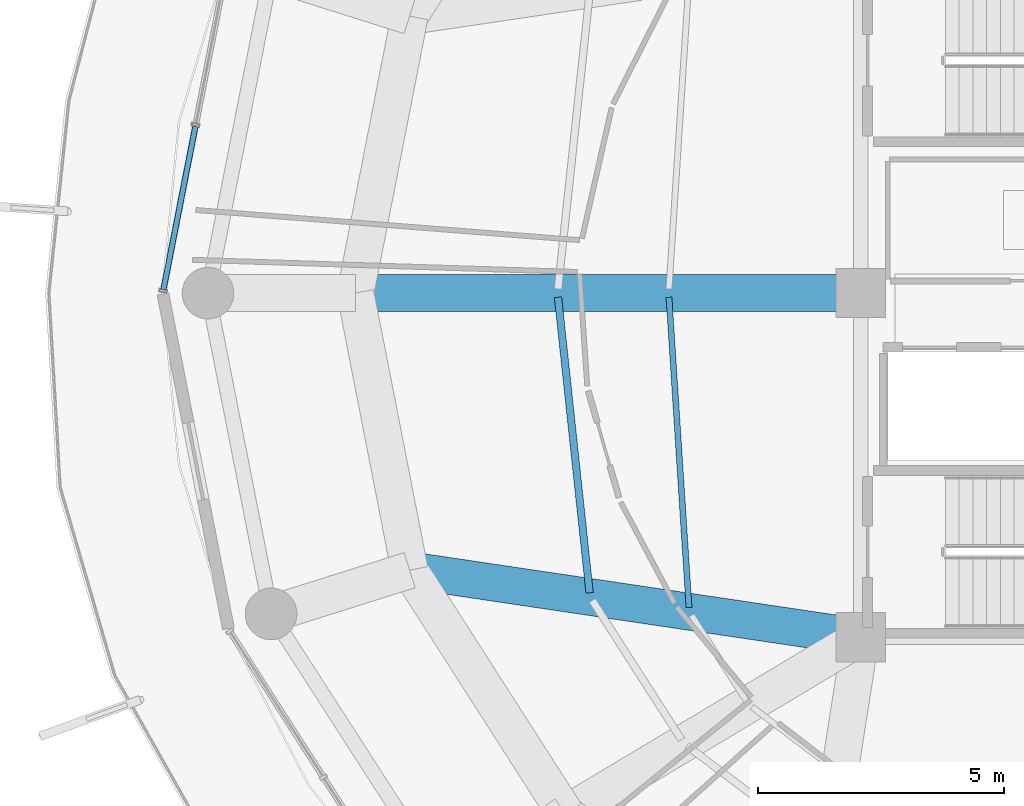
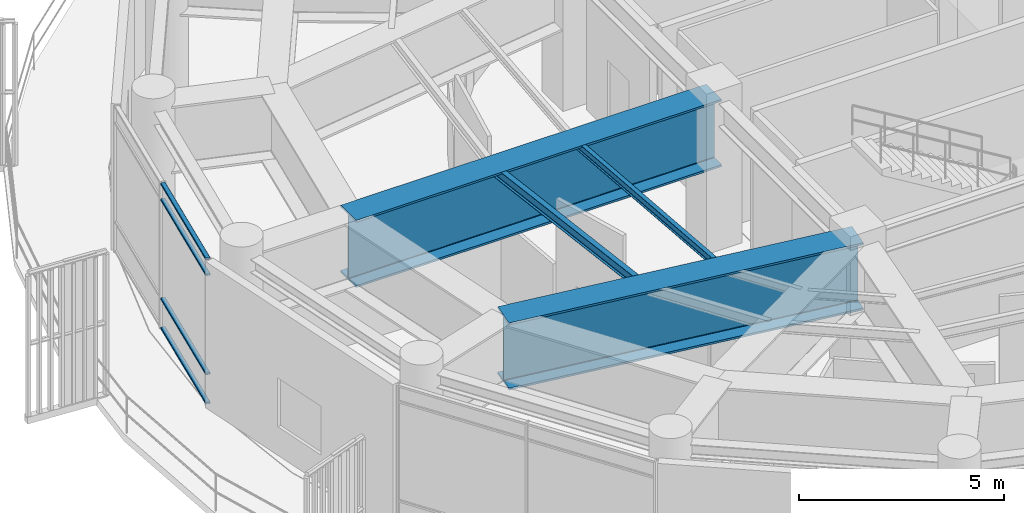
# One storey, part 7 of 29: 4 beams, 4 members, 1 element without a shape of its own.
"""IFC4 building model written with IfcOpenShell, lengths in metres."""

import ifcopenshell
import ifcopenshell.guid

model = None  # the IFC model being written
_history = None  # IfcOwnerHistory: only IFC2X3 demands one
_inside = {}  # id of a spatial element -> (the spatial element, [elements in it])
_under = {}  # id of a project, library or spatial element -> (it, [spatial elements below it])
_declared = {}  # id of a project -> (the project, [libraries it declares])
_typed = {}  # id of a type object -> (the type object, [elements of that type])
_made_of = {}  # id of a material, layer set ... -> (it, [elements and type objects made of it])


def new_model(schema):
    """Start an empty IFC model of exactly this schema.

    Asked for "IFC4X3", IfcOpenShell would pick the latest addendum, in which some entities
    have other attributes; the version numbers below select the first issue.
    IFC2X3 requires an IfcOwnerHistory on every rooted entity: one is made here for all.
    """
    global model, _history
    if schema == "IFC4X3":
        model = ifcopenshell.file(schema_version=(4, 3, 0, 0))
    else:
        model = ifcopenshell.file(schema=schema)
    _inside.clear()
    _under.clear()
    _declared.clear()
    _typed.clear()
    _made_of.clear()
    _history = None
    if model.schema == "IFC2X3":
        org = make("IfcOrganization", Name="unknown")
        user = make(
            "IfcPersonAndOrganization",
            ThePerson=make("IfcPerson", FamilyName="unknown"),
            TheOrganization=org,
        )
        app = make(
            "IfcApplication",
            ApplicationDeveloper=org,
            Version="unknown",
            ApplicationFullName="unknown",
            ApplicationIdentifier="unknown",
        )
        _history = make(
            "IfcOwnerHistory",
            OwningUser=user,
            OwningApplication=app,
            ChangeAction="ADDED",
            CreationDate=0,
        )
    return model


def make(cls, **values):
    """One entity of the class cls with the attributes given. An attribute that is None is left unset."""
    return model.create_entity(
        cls, **{name: value for name, value in values.items() if value is not None}
    )


def rooted(cls, **values):
    """An entity with a GlobalId (a new one), such as an element, a storey or a relation."""
    return make(cls, GlobalId=ifcopenshell.guid.new(), OwnerHistory=_history, **values)


def si_unit(unit_type, name, prefix=None):
    """IfcSIUnit, for example si_unit("LENGTHUNIT", "METRE", prefix="MILLI")."""
    return make("IfcSIUnit", UnitType=unit_type, Prefix=prefix, Name=name)


def assignment(units):
    """IfcUnitAssignment: the units of a project."""
    return None if units is None else make("IfcUnitAssignment", Units=units)


def point(xyz):
    """IfcCartesianPoint."""
    return None if xyz is None else make("IfcCartesianPoint", Coordinates=xyz)


def direction(xyz):
    """IfcDirection."""
    return None if xyz is None else make("IfcDirection", DirectionRatios=xyz)


def frame(location, z_axis=None, x_axis=None):
    """IfcAxis2Placement3D, a coordinate frame: its origin and axes. An axis left out is left unset."""
    return make(
        "IfcAxis2Placement3D",
        Location=point(location),
        Axis=direction(z_axis),
        RefDirection=direction(x_axis),
    )


def frame_2d(location, x_axis=None):
    """IfcAxis2Placement2D, a coordinate frame in the plane: its origin and x axis."""
    return make(
        "IfcAxis2Placement2D", Location=point(location), RefDirection=direction(x_axis)
    )


def origin():
    """The frame at (0, 0, 0) with its axes left unset."""
    return frame((0.0, 0.0, 0.0))


def origin_2d():
    """The frame at (0, 0) in the plane with its x axis left unset."""
    return frame_2d((0.0, 0.0))


def place(relative_to, where):
    """IfcLocalPlacement: puts the frame where relative to a parent placement (None: the world)."""
    return make(
        "IfcLocalPlacement", PlacementRelTo=relative_to, RelativePlacement=where
    )


def context(
    kind, dimensions, precision=None, world=None, true_north=None, identifier=None
):
    """IfcGeometricRepresentationContext, for example the 3D "Model" context."""
    return make(
        "IfcGeometricRepresentationContext",
        ContextIdentifier=identifier,
        ContextType=kind,
        CoordinateSpaceDimension=dimensions,
        Precision=precision,
        WorldCoordinateSystem=world,
        TrueNorth=true_north,
    )


def subcontext(parent, identifier, kind, view, scale=None):
    """IfcGeometricRepresentationSubContext, for example "Body" below "Model"."""
    return make(
        "IfcGeometricRepresentationSubContext",
        ContextIdentifier=identifier,
        ContextType=kind,
        ParentContext=parent,
        TargetScale=scale,
        TargetView=view,
    )


def project(units=None, contexts=None):
    """IfcProject with its units and contexts."""
    return rooted(
        "IfcProject",
        Name="project",
        RepresentationContexts=contexts,
        UnitsInContext=assignment(units),
    )


def spatial(cls, under=None, at=None, **own):
    """A site, building, storey or space (cls), placed at a placement, below another one or the project."""
    s = rooted(cls, ObjectPlacement=at, **own)
    if under is not None:
        _under.setdefault(under.id(), (under, []))[1].append(s)
    return s


def profile(cls, at=None, kind="AREA", **sizes):
    """A parametric profile (cls). Its sizes go by their IFC names, for example OverallWidth=200.0."""
    return make(cls, ProfileType=kind, Position=at, **sizes)


def hollow_rectangle(**sizes):
    """IfcRectangleHollowProfileDef."""
    return profile("IfcRectangleHollowProfileDef", **sizes)


def i_section(**sizes):
    """IfcIShapeProfileDef."""
    return profile("IfcIShapeProfileDef", **sizes)


def extrude(swept, where, along, depth):
    """IfcExtrudedAreaSolid: the profile swept, set in the frame where, extruded along a direction by depth."""
    return make(
        "IfcExtrudedAreaSolid",
        SweptArea=swept,
        Position=where,
        ExtrudedDirection=direction(along),
        Depth=depth,
    )


def shape(context_of_items, identifier, shape_type, items):
    """IfcShapeRepresentation: the items that make up one representation, for example the "Body"."""
    return make(
        "IfcShapeRepresentation",
        ContextOfItems=context_of_items,
        RepresentationIdentifier=identifier,
        RepresentationType=shape_type,
        Items=items,
    )


def material(Name=None, Category=None):
    """IfcMaterial."""
    return make("IfcMaterial", Name=Name, Category=Category)


def layer(
    of_material, thickness, ventilated=None, Name=None, Category=None, Priority=None
):
    """IfcMaterialLayer: one layer of a wall or slab, of a material (None: an air gap)."""
    return make(
        "IfcMaterialLayer",
        Material=of_material,
        LayerThickness=thickness,
        IsVentilated=ventilated,
        Name=Name,
        Category=Category,
        Priority=Priority,
    )


def layer_set(layers, Name=None):
    """IfcMaterialLayerSet."""
    return make("IfcMaterialLayerSet", MaterialLayers=layers, LayerSetName=Name)


def material_profile(
    of_material, cross_section, Name=None, Category=None, Priority=None
):
    """IfcMaterialProfile: a cross section and its material."""
    return make(
        "IfcMaterialProfile",
        Name=Name,
        Material=of_material,
        Profile=cross_section,
        Priority=Priority,
        Category=Category,
    )


def profile_set(profiles, Name=None, composite=None):
    """IfcMaterialProfileSet."""
    return make(
        "IfcMaterialProfileSet",
        Name=Name,
        MaterialProfiles=profiles,
        CompositeProfile=composite,
    )


def made_of(thing, what):
    """Note that an element or type object is made of a material, layer set ...; save() writes the relation."""
    if what is not None:
        _made_of.setdefault(what.id(), (what, []))[1].append(thing)
    return thing


def type_object(cls, material=None, **own):
    """A type object (cls), such as IfcWallType, which elements share."""
    return made_of(rooted(cls, **own), material)


def element(
    cls,
    number,
    at=None,
    inside=None,
    cuts=None,
    type_object=None,
    material=None,
    context=None,
    identifier="Body",
    shape_type=None,
    held_by="IfcProductDefinitionShape",
    body=None,
    shapes=None,
    **own,
):
    """One element of the class cls, such as IfcWall. Its Tag is "e" and its number.

    at: its placement. inside: the storey or other place that contains it. cuts: it is an
    opening in that element (IfcRelVoidsElement). A single representation is given by context,
    identifier, shape_type and body (its items); several are given by shapes. held_by: the class
    of the entity that holds the representations. save() writes the other relations.
    """
    e = rooted(cls, Tag="e%d" % number, ObjectPlacement=at, **own)
    if body is not None:
        shapes = [shape(context, identifier, shape_type, body)]
    if shapes is not None:
        e.Representation = make(held_by, Representations=shapes)
    if inside is not None:
        _inside.setdefault(inside.id(), (inside, []))[1].append(e)
    if cuts is not None:
        rooted(
            "IfcRelVoidsElement", RelatingBuildingElement=cuts, RelatedOpeningElement=e
        )
    if type_object is not None:
        _typed.setdefault(type_object.id(), (type_object, []))[1].append(e)
    return made_of(e, material)


def aggregate(whole, parts):
    """IfcRelAggregates: a whole, such as a stair, and the parts it consists of."""
    return rooted("IfcRelAggregates", RelatingObject=whole, RelatedObjects=parts)


def save(model, path):
    """Write the relations noted so far, then the file.

    IfcRelAggregates (storeys below a building ...), IfcRelContainedInSpatialStructure (elements
    in a storey), IfcRelDefinesByType, IfcRelAssociatesMaterial and IfcRelDeclares: one each for
    every whole, place, type object, material and project.
    """
    for whole, parts in _under.values():
        aggregate(whole, parts)
    for where, things in _inside.values():
        rooted(
            "IfcRelContainedInSpatialStructure",
            RelatedElements=things,
            RelatingStructure=where,
        )
    for kind, things in _typed.values():
        rooted("IfcRelDefinesByType", RelatedObjects=things, RelatingType=kind)
    for what, things in _made_of.values():
        rooted("IfcRelAssociatesMaterial", RelatedObjects=things, RelatingMaterial=what)
    for by, libraries in _declared.values():
        rooted("IfcRelDeclares", RelatingContext=by, RelatedDefinitions=libraries)
    model.write(path)


model = new_model("IFC4")

# Units and contexts
model_context = context("Model", 3, precision=1e-05, world=origin(), true_north=direction((0.0, 1.0)))
body_context = subcontext(model_context, "Body", "Model", "MODEL_VIEW")
ifc_project = project(units=[si_unit("LENGTHUNIT", "METRE"), si_unit("AREAUNIT", "SQUARE_METRE"), si_unit("VOLUMEUNIT", "CUBIC_METRE"), si_unit("PLANEANGLEUNIT", "RADIAN"), si_unit("MASSUNIT", "GRAM", prefix="KILO")], contexts=[model_context])

# Site, building, storey
site_placement = place(None, origin())
site = spatial("IfcSite", under=ifc_project, at=site_placement, CompositionType="ELEMENT")
building_placement = place(site_placement, origin())
building = spatial("IfcBuilding", under=site, at=building_placement, Name="Kelanora Arch Commons", CompositionType="ELEMENT")
storey_placement = place(building_placement, frame((0.0, 0.0, 238.199951171875)))
storey = spatial("IfcBuildingStorey", under=building, at=storey_placement, Name="L61", CompositionType="ELEMENT", Elevation=238.199951171875)

# Beams
ifc_material_1 = material(Name="Steel S355", Category="steel")
ifc_material_profile_1 = material_profile(ifc_material_1, i_section(OverallWidth=0.14990234375, OverallDepth=0.300048828125, WebThickness=0.007080078125, FlangeThickness=0.0107421875, FilletRadius=0.014892578125, at=origin_2d()), Name="IPE300")
ifc_profile_set_1 = profile_set([ifc_material_profile_1], Name="Steel S355")
beam_type_1 = type_object("IfcBeamType", Name="BM-JST-01", PredefinedType="JOIST", material=ifc_profile_set_1)
beam_1_placement = place(storey_placement, frame((59.841064453125, 57.91552734375, 4.2099609375), z_axis=(0.106380594087, -0.994325484538, 0.0), x_axis=(0.994325484538, 0.106380594087, 0.0)))
element("IfcBeam", 1, at=beam_1_placement, inside=storey, type_object=beam_type_1, Name="Secondary Chord Joist BJB-18 L61", PredefinedType="JOIST", context=body_context, shape_type="SweptSolid", body=[
    extrude(i_section(OverallWidth=0.14990234375, OverallDepth=0.300048828125, WebThickness=0.007080078125, FlangeThickness=0.0107421875, FilletRadius=0.014892578125, at=origin_2d()), origin(), (0.0, 0.0, 1.0), 6.04736328125),
])
ifc_material_profile_2 = material_profile(ifc_material_1, i_section(OverallWidth=0.1201171875, OverallDepth=0.239990234375, WebThickness=0.006103515625, FlangeThickness=0.009765625, FilletRadius=0.014892578125, at=origin_2d()), Name="IPE240")
ifc_profile_set_2 = profile_set([ifc_material_profile_2], Name="Steel S355")
beam_type_2 = type_object("IfcBeamType", Name="BM-JST-02", PredefinedType="JOIST", material=ifc_profile_set_2)
beam_2_placement = place(storey_placement, frame((62.09912109375, 57.915283203125, 4.239990234375), z_axis=(0.064495107978, -0.99791802321, 0.0), x_axis=(0.99791802321, 0.064495107978, 0.0)))
element("IfcBeam", 2, at=beam_2_placement, inside=storey, type_object=beam_type_2, Name="Secondary Chord Joist BJA-18 L61", PredefinedType="JOIST", context=body_context, shape_type="SweptSolid", body=[
    extrude(i_section(OverallWidth=0.1201171875, OverallDepth=0.239990234375, WebThickness=0.006103515625, FlangeThickness=0.009765625, FilletRadius=0.014892578125, at=origin_2d()), origin(), (0.0, 0.0, 1.0), 6.325439453125),
])
ifc_material_profile_3 = material_profile(ifc_material_1, i_section(OverallWidth=0.75, OverallDepth=2.0, WebThickness=0.034912109375, FlangeThickness=0.06005859375, FilletRadius=0.028076171875, at=origin_2d()), Name="PG2000x750")
ifc_profile_set_3 = profile_set([ifc_material_profile_3], Name="Steel S355")
beam_type_3 = type_object("IfcBeamType", Name="BM-XFER-SET", PredefinedType="USERDEFINED", material=ifc_profile_set_3)
beam_3_placement = place(storey_placement, frame((66.0, 58.0, 3.360107421875), z_axis=(-1.0, 0.0, 0.0), x_axis=(0.0, -1.0, 0.0)))
element("IfcBeam", 3, at=beam_3_placement, inside=storey, type_object=beam_type_3, Name="Setback Radial Transfer Girder BRI-18 L61", ObjectType="TRANSFER_GIRDER", PredefinedType="USERDEFINED", context=body_context, shape_type="SweptSolid", body=[
    extrude(i_section(OverallWidth=0.75, OverallDepth=2.0, WebThickness=0.034912109375, FlangeThickness=0.06005859375, FilletRadius=0.028076171875, at=origin_2d()), origin(), (0.0, 0.0, 1.0), 10.280029296875),
])
beam_4_placement = place(storey_placement, frame((66.0, 51.0, 3.360107421875), z_axis=(-0.989142485564, 0.146959665395, 0.0), x_axis=(-0.146959665395, -0.989142485564, 0.0)))
element("IfcBeam", 4, at=beam_4_placement, inside=storey, type_object=beam_type_3, Name="Setback Radial Transfer Girder BRI-20 L61", ObjectType="TRANSFER_GIRDER", PredefinedType="USERDEFINED", context=body_context, shape_type="SweptSolid", body=[
    extrude(i_section(OverallWidth=0.75, OverallDepth=2.0, WebThickness=0.034912109375, FlangeThickness=0.06005859375, FilletRadius=0.028076171875, at=origin_2d()), origin(), (0.0, 0.0, 1.0), 9.2783203125),
])

# Curtain wall, members
ifc_material_2 = material(Name="Terracotta ceramic-fritted low-E glass and aluminium", Category="masonry")
ifc_layer = layer(ifc_material_2, 0.175048828125)
ifc_layer_set = layer_set([ifc_layer], Name="Terracotta ceramic-fritted low-E glass and aluminium")
curtain_wall_type = type_object("IfcCurtainWallType", Name="CW-SYS-02", PredefinedType="NOTDEFINED", material=ifc_layer_set)
curtain_wall_placement = place(storey_placement, origin())
curtain_wall = element("IfcCurtainWall", 5, at=curtain_wall_placement, inside=storey, type_object=curtain_wall_type, Name="Unitised Curtain Wall L61-B08", PredefinedType="NOTDEFINED")
ifc_material_3 = material(Name="Powder-coated aluminium terracotta", Category="masonry")
ifc_material_profile_4 = material_profile(ifc_material_3, hollow_rectangle(XDim=0.1201171875, YDim=0.06005859375, WallThickness=0.0048828125, InnerFilletRadius=0.0048828125, OuterFilletRadius=0.010009765625, at=origin_2d()), Name="CWT120x60")
ifc_profile_set_4 = profile_set([ifc_material_profile_4], Name="Powder-coated aluminium terracotta")
member_type = type_object("IfcMemberType", Name="CWT-STD", PredefinedType="USERDEFINED", material=ifc_profile_set_4)
member_1_placement = place(storey_placement, frame((52.463623046875, 61.390869140625, 0.030029296875), z_axis=(-0.192044874899, -0.981386145218, 0.0), x_axis=(0.981386145218, -0.192044874899, 0.0)))
member_1 = element("IfcMember", 6, at=member_1_placement, type_object=member_type, Name="CW-02 transom 2.1", ObjectType="TRANSOM", PredefinedType="USERDEFINED", context=body_context, shape_type="SweptSolid", body=[
    extrude(hollow_rectangle(XDim=0.1201171875, YDim=0.06005859375, WallThickness=0.0048828125, InnerFilletRadius=0.0048828125, OuterFilletRadius=0.010009765625, at=origin_2d()), origin(), (0.0, 0.0, 1.0), 3.38037109375),
])
member_2_placement = place(storey_placement, frame((52.463623046875, 61.390869140625, 0.900146484375), z_axis=(-0.192044874899, -0.981386145218, 0.0), x_axis=(0.981386145218, -0.192044874899, 0.0)))
member_2 = element("IfcMember", 7, at=member_2_placement, type_object=member_type, Name="CW-02 transom 2.2", ObjectType="TRANSOM", PredefinedType="USERDEFINED", context=body_context, shape_type="SweptSolid", body=[
    extrude(hollow_rectangle(XDim=0.1201171875, YDim=0.06005859375, WallThickness=0.0048828125, InnerFilletRadius=0.0048828125, OuterFilletRadius=0.010009765625, at=origin_2d()), origin(), (0.0, 0.0, 1.0), 3.38037109375),
])
member_3_placement = place(storey_placement, frame((52.463623046875, 61.390869140625, 3.844970703125), z_axis=(-0.192044874899, -0.981386145218, 0.0), x_axis=(0.981386145218, -0.192044874899, 0.0)))
member_3 = element("IfcMember", 8, at=member_3_placement, type_object=member_type, Name="CW-02 transom 2.3", ObjectType="TRANSOM", PredefinedType="USERDEFINED", context=body_context, shape_type="SweptSolid", body=[
    extrude(hollow_rectangle(XDim=0.1201171875, YDim=0.06005859375, WallThickness=0.0048828125, InnerFilletRadius=0.0048828125, OuterFilletRadius=0.010009765625, at=origin_2d()), origin(), (0.0, 0.0, 1.0), 3.38037109375),
])
member_4_placement = place(storey_placement, frame((52.463623046875, 61.390869140625, 4.31494140625), z_axis=(-0.192044874899, -0.981386145218, 0.0), x_axis=(0.981386145218, -0.192044874899, 0.0)))
member_4 = element("IfcMember", 9, at=member_4_placement, type_object=member_type, Name="CW-02 transom 2.4", ObjectType="TRANSOM", PredefinedType="USERDEFINED", context=body_context, shape_type="SweptSolid", body=[
    extrude(hollow_rectangle(XDim=0.1201171875, YDim=0.06005859375, WallThickness=0.0048828125, InnerFilletRadius=0.0048828125, OuterFilletRadius=0.010009765625, at=origin_2d()), origin(), (0.0, 0.0, 1.0), 3.38037109375),
])
aggregate(curtain_wall, [member_1, member_2, member_3, member_4])

save(model, "model.ifc")
